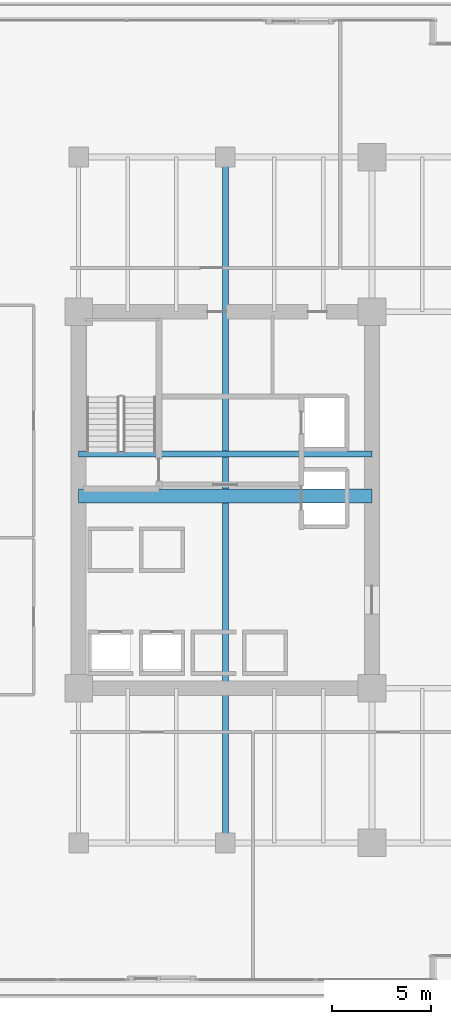
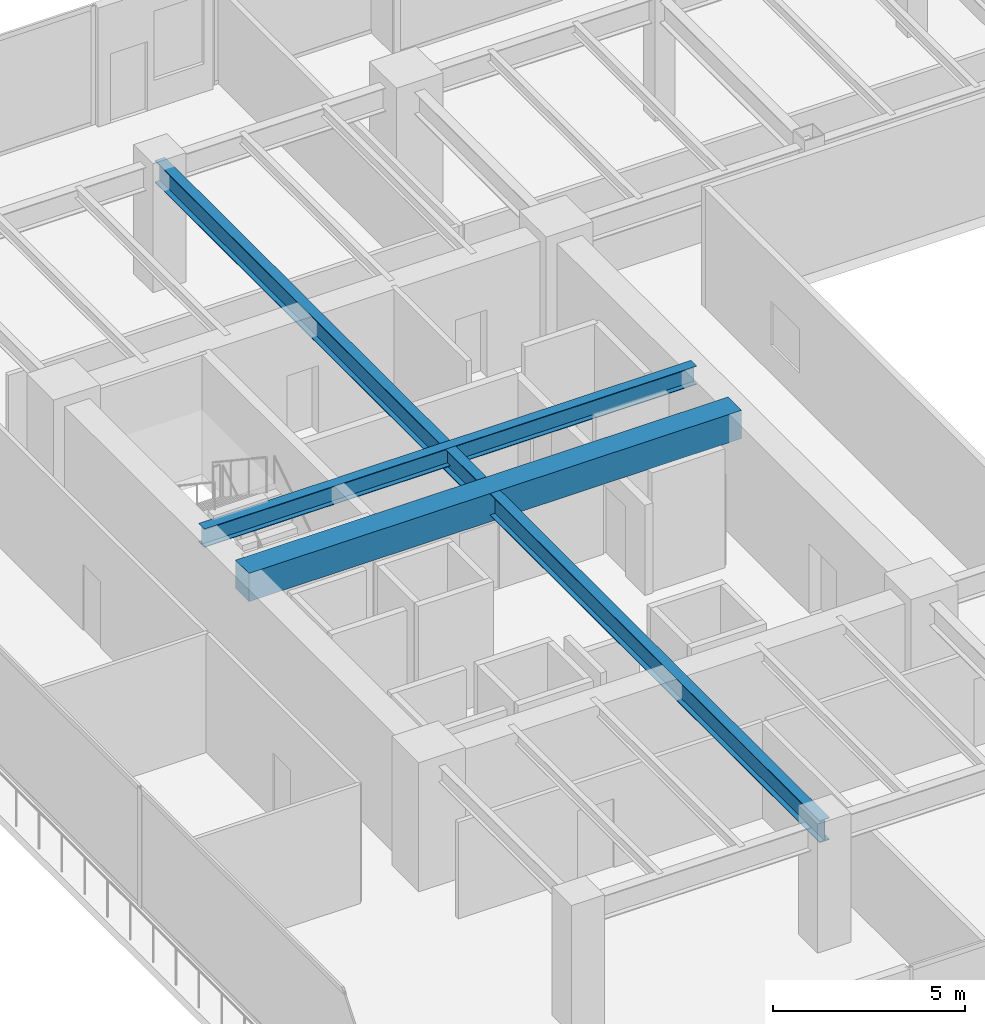
# One storey, part 7 of 36: 3 beams.
"""IFC4 building model written with IfcOpenShell, lengths in metres."""

from ifc_helpers import new_model, si_unit, direction, frame, origin, origin_2d, place, context, subcontext, project, spatial, rectangle, i_section, extrude, source, transform, mapped, material, material_profile, profile_set, type_object, type_shapes, element, save


model = new_model("IFC4")

# Units and contexts
model_context = context("Model", 3, precision=1e-05, world=origin(), true_north=direction((0.0, 1.0)))
body_context = subcontext(model_context, "Body", "Model", "MODEL_VIEW")
ifc_project = project(units=[si_unit("LENGTHUNIT", "METRE"), si_unit("AREAUNIT", "SQUARE_METRE"), si_unit("VOLUMEUNIT", "CUBIC_METRE"), si_unit("PLANEANGLEUNIT", "RADIAN"), si_unit("MASSUNIT", "GRAM", prefix="KILO")], contexts=[model_context])

# Site, building, storey
site_placement = place(None, origin())
site = spatial("IfcSite", under=ifc_project, at=site_placement, CompositionType="ELEMENT")
building_placement = place(site_placement, origin())
building = spatial("IfcBuilding", under=site, at=building_placement, Name="Haelvirn Gate Laboratories", CompositionType="ELEMENT")
storey_placement = place(building_placement, frame((0.0, 0.0, 25.199951171875)))
storey = spatial("IfcBuildingStorey", under=building, at=storey_placement, Name="L06", CompositionType="ELEMENT", Elevation=25.199951171875)

# Beams
ifc_material_1 = material(Name="Concrete C60/75", Category="concrete")
ifc_material_profile_1 = material_profile(ifc_material_1, rectangle(XDim=0.699951171875, YDim=0.89990234375, at=origin_2d()), Name="RCB-700x900")
ifc_profile_set_1 = profile_set([ifc_material_profile_1], Name="Concrete C60/75")
beam_type_1 = type_object("IfcBeamType", Name="BM-RCB-900", PredefinedType="LINTEL", material=ifc_profile_set_1)
shared_shape_1 = source(origin(), body_context, "Body", "SweptSolid", [
    extrude(rectangle(XDim=0.699951171875, YDim=0.89990234375, at=origin_2d()), origin(), (0.0, 0.0, 1.0), 14.800048828125),
])
type_shapes(beam_type_1, [shared_shape_1])
beam_1_placement = place(storey_placement, frame((7.39990234375, 24.5, 3.330078125), z_axis=(1.0, 0.0, 0.0), x_axis=(0.0, 1.0, 0.0)))
element("IfcBeam", 1, at=beam_1_placement, inside=storey, type_object=beam_type_1, Name="L06 West Core Coupling Beam", PredefinedType="LINTEL", context=body_context, shape_type="MappedRepresentation", body=[
    mapped(shared_shape_1, transform((0.0, 0.0, 0.0), scale=1.0)),
])
ifc_material_2 = material(Name="Steel SM355", Category="steel")
ifc_material_profile_2 = material_profile(ifc_material_2, i_section(OverallWidth=0.300048828125, OverallDepth=0.587890625, WebThickness=0.011962890625, FlangeThickness=0.02001953125, at=origin_2d()), Name="H-588x300x12x20")
ifc_profile_set_2 = profile_set([ifc_material_profile_2], Name="Steel SM355")
beam_type_2 = type_object("IfcBeamType", Name="BM-G-588", PredefinedType="BEAM", material=ifc_profile_set_2)
shared_shape_2 = source(origin(), body_context, "Body", "SweptSolid", [
    extrude(i_section(OverallWidth=0.300048828125, OverallDepth=0.587890625, WebThickness=0.011962890625, FlangeThickness=0.02001953125, at=origin_2d()), origin(), (0.0, 0.0, 1.0), 14.800048828125),
])
type_shapes(beam_type_2, [shared_shape_2])
beam_2_placement = place(storey_placement, frame((7.39990234375, 26.6201171875, 3.486083984375), z_axis=(1.0, 0.0, 0.0), x_axis=(0.0, 1.0, 0.0)))
element("IfcBeam", 2, at=beam_2_placement, inside=storey, type_object=beam_type_2, Name="L06 Stair ST1 Landing Header", PredefinedType="BEAM", context=body_context, shape_type="MappedRepresentation", body=[
    mapped(shared_shape_2, transform((0.0, 0.0, 0.0), scale=1.0)),
])
ifc_material_profile_3 = material_profile(ifc_material_2, i_section(OverallWidth=0.300048828125, OverallDepth=0.699951171875, WebThickness=0.012939453125, FlangeThickness=0.02392578125, at=origin_2d()), Name="H-700x300x13x24")
ifc_profile_set_3 = profile_set([ifc_material_profile_3], Name="Steel SM355")
beam_type_3 = type_object("IfcBeamType", Name="BM-G-700", PredefinedType="BEAM", material=ifc_profile_set_3)
shared_shape_3 = source(origin(), body_context, "Body", "SweptSolid", [
    extrude(i_section(OverallWidth=0.300048828125, OverallDepth=0.699951171875, WebThickness=0.012939453125, FlangeThickness=0.02392578125, at=origin_2d()), origin(), (0.0, 0.0, 1.0), 34.60009765625),
])
type_shapes(beam_type_3, [shared_shape_3])
beam_3_placement = place(storey_placement, frame((14.800048828125, 7.0, 3.429931640625), z_axis=(0.0, 1.0, 0.0), x_axis=(-1.0, 0.0, 0.0)))
element("IfcBeam", 3, at=beam_3_placement, inside=storey, type_object=beam_type_3, Name="L06 Frame Girder X14.8 (7.0-41.6)", PredefinedType="BEAM", context=body_context, shape_type="MappedRepresentation", body=[
    mapped(shared_shape_3, transform((0.0, 0.0, 0.0), scale=1.0)),
])

save(model, "model.ifc")
